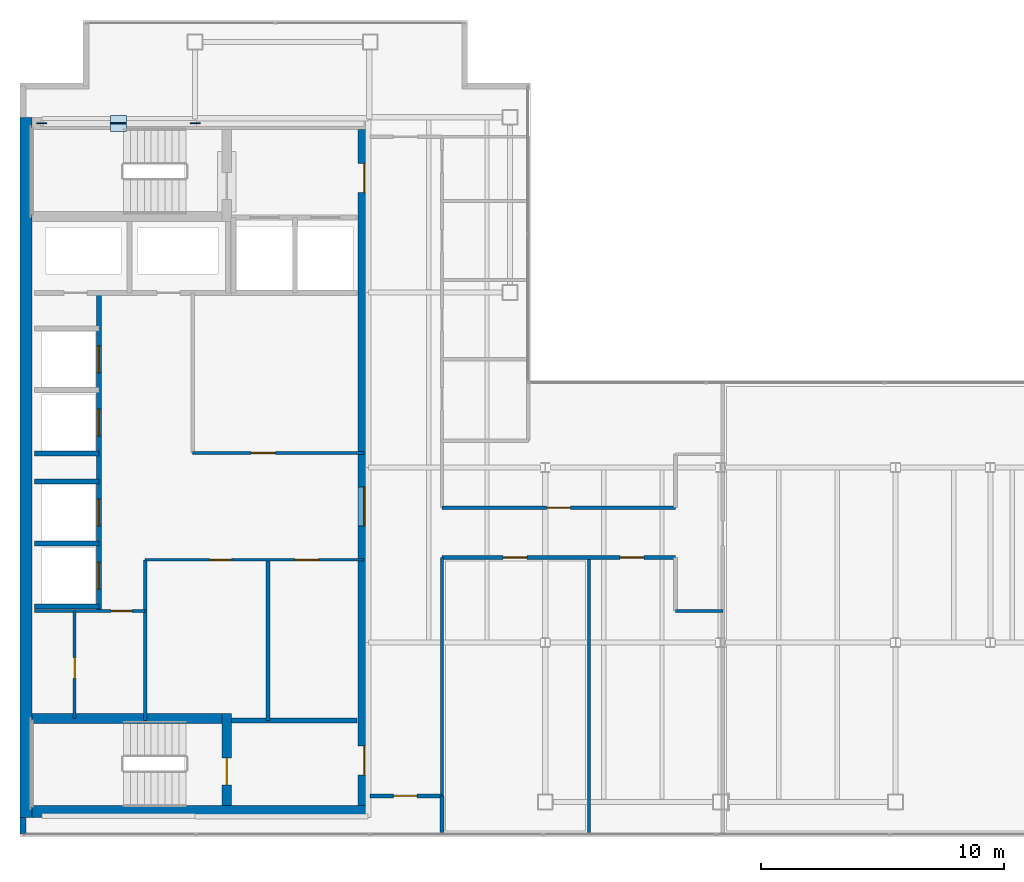
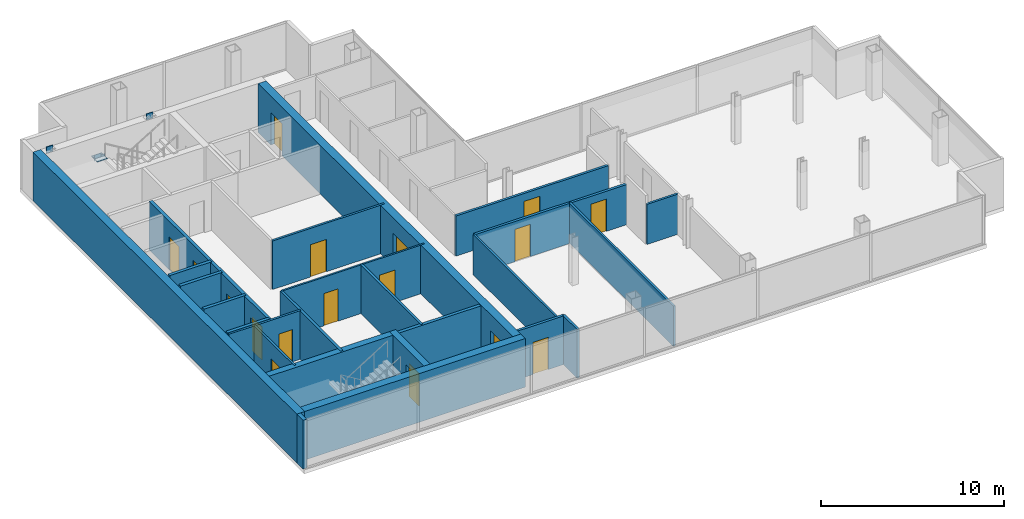
# One storey, part 20 of 23: 25 walls, 17 doors, 5 plates, 17 openings.
"""IFC4 building model written with IfcOpenShell, lengths in metres."""

from ifc_helpers import new_model, si_unit, direction, frame, frame_2d, origin, origin_2d, place, context, subcontext, project, spatial, rectangle, extrude, material, layer, layer_set, type_object, element, fill, save


model = new_model("IFC4")

# Units and contexts
model_context = context("Model", 3, precision=1e-05, world=origin(), true_north=direction((0.0, 1.0)))
body_context = subcontext(model_context, "Body", "Model", "MODEL_VIEW")
ifc_project = project(units=[si_unit("LENGTHUNIT", "METRE"), si_unit("AREAUNIT", "SQUARE_METRE"), si_unit("VOLUMEUNIT", "CUBIC_METRE"), si_unit("PLANEANGLEUNIT", "RADIAN"), si_unit("MASSUNIT", "GRAM", prefix="KILO")], contexts=[model_context])

# Site, building, storey
site_placement = place(None, origin())
site = spatial("IfcSite", under=ifc_project, at=site_placement, CompositionType="ELEMENT")
building_placement = place(site_placement, origin())
building = spatial("IfcBuilding", under=site, at=building_placement, Name="Cobrela Telecom Tower", CompositionType="ELEMENT")
storey_placement = place(building_placement, frame((0.0, 0.0, 262.14990234375)))
storey = spatial("IfcBuildingStorey", under=building, at=storey_placement, Name="L68", CompositionType="ELEMENT", Elevation=262.14990234375)

# Plates
ifc_material_1 = material(Name="Steel ASTM A572 Grade 50", Category="steel")
ifc_layer_1 = layer(ifc_material_1, 0.0419921875)
ifc_layer_set_1 = layer_set([ifc_layer_1], Name="Steel ASTM A572 Grade 50")
plate_type = type_object("IfcPlateType", Name="PLT-NODE-ND1", PredefinedType="USERDEFINED", material=ifc_layer_set_1)
for number, where, z_axis, x_axis, name in (
    (1, (7.199951171875, 35.75, 3.0751953125), (0.0, 0.0, 1.0), (1.0, 0.0, 0.0), "Steel node plate PLT-MBR-EXO-L68-N1-A-1"),
    (2, (4.173828125, 35.75, 1.349609375), (0.0, 0.0, 1.0), (-1.0, 0.0, 0.0), "Steel node plate PLT-MBR-EXO-L68-N1-B1-1"),
    (3, (3.926025390625, 35.75, 1.48046875), (0.0, 0.0, 1.0), (-1.0, 0.0, 0.0), "Steel node plate PLT-MBR-EXO-L68-N1-B2-0"),
    (4, (0.89990234375, 35.75, 3.0751953125), (0.0, 0.0, 1.0), (-1.0, 0.0, 0.0), "Steel node plate PLT-MBR-EXO-L68-N1-B2-1"),
):
    element("IfcPlate", number, at=place(storey_placement, frame(where, z_axis=z_axis, x_axis=x_axis)), inside=storey, type_object=plate_type, Name=name, ObjectType="GUSSET PLATE", PredefinedType="USERDEFINED", context=body_context, shape_type="SweptSolid", body=[
        extrude(rectangle(XDim=0.409912109375, YDim=0.044921875, at=origin_2d()), origin(), (0.0, 0.0, 1.0), 0.409912109375),
    ])
plate_placement = place(storey_placement, frame((4.050048828125, 35.75, 1.59765625), z_axis=(0.0, 0.0, 1.0), x_axis=(1.0, 0.0, 0.0)))
element("IfcPlate", 5, at=plate_placement, inside=storey, type_object=plate_type, Name="L68 Core Flange Steel X-Brace Central X-Crossing Gusset Plate", ObjectType="GUSSET PLATE", PredefinedType="USERDEFINED", context=body_context, shape_type="SweptSolid", body=[
    extrude(rectangle(XDim=0.64990234375, YDim=0.64990234375, at=origin_2d()), origin(), (0.0, 0.0, 1.0), 0.044921875),
])

# Walls
ifc_material_2 = material(Name="Concrete C40/50", Category="concrete")
ifc_layer_2 = layer(ifc_material_2, 0.5)
ifc_layer_set_2 = layer_set([ifc_layer_2], Name="Concrete C40/50")
wall_type_1 = type_object("IfcWallType", Name="WALL-CORE-C40-500", PredefinedType="SHEAR", material=ifc_layer_set_2)
wall_1_placement = place(storey_placement, frame((0.25, 7.199951171875, 0.0), z_axis=(0.0, 0.0, 1.0), x_axis=(0.0, 1.0, 0.0)))
element("IfcWall", 6, at=wall_1_placement, inside=storey, type_object=wall_type_1, Name="L68 West Core Shear Wall", PredefinedType="SHEAR", context=body_context, shape_type="SweptSolid", body=[
    extrude(rectangle(XDim=28.800048828125, YDim=0.5, at=frame_2d((14.39990234375, 0.0))), origin(), (0.0, 0.0, 1.0), 3.239990234375),
])
wall_2_placement = place(storey_placement, frame((0.5, 7.449951171875, 0.0), z_axis=(0.0, 0.0, 1.0), x_axis=(1.0, 0.0, 0.0)))
element("IfcWall", 7, at=wall_2_placement, inside=storey, type_object=wall_type_1, Name="L68 South Core Shear Wall", PredefinedType="SHEAR", context=body_context, shape_type="SweptSolid", body=[
    extrude(rectangle(XDim=13.89990234375, YDim=0.5, at=frame_2d((6.949951171875, 0.0))), origin(), (0.0, 0.0, 1.0), 3.239990234375),
])

# Wall, openings, doors
wall_3_placement = place(storey_placement, frame((14.14990234375, 35.5, 0.0), z_axis=(0.0, 0.0, 1.0), x_axis=(0.0, -1.0, 0.0)))
wall_3 = element("IfcWall", 8, at=wall_3_placement, inside=storey, type_object=wall_type_1, Name="L68 East Core Shear Wall", PredefinedType="SHEAR", context=body_context, shape_type="SweptSolid", body=[
    extrude(rectangle(XDim=27.800048828125, YDim=0.5, at=frame_2d((13.89990234375, 0.0))), origin(), (0.0, 0.0, 1.0), 3.239990234375),
])
opening_1_placement = place(wall_3_placement, frame((1.39990234375, 0.0, 0.0)))
opening_1 = element("IfcOpeningElement", 9, at=opening_1_placement, cuts=wall_3, Name="Opening DR-19", PredefinedType="OPENING", context=body_context, shape_type="SweptSolid", body=[
    extrude(rectangle(XDim=1.199951171875, YDim=2.14990234375, at=frame_2d((0.60009765625, 1.074951171875))), frame((0.0, 0.261962890625, 0.0), z_axis=(0.0, -1.0, 0.0), x_axis=(1.0, 0.0, 0.0)), (0.0, 0.0, 1.0), 0.52392578125),
])
opening_2_placement = place(wall_3_placement, frame((25.35009765625, 0.0, 0.0)))
opening_2 = element("IfcOpeningElement", 10, at=opening_2_placement, cuts=wall_3, Name="Opening DR-19", PredefinedType="OPENING", context=body_context, shape_type="SweptSolid", body=[
    extrude(rectangle(XDim=1.199951171875, YDim=2.14990234375, at=frame_2d((0.60009765625, 1.074951171875))), frame((0.0, 0.261962890625, 0.0), z_axis=(0.0, -1.0, 0.0), x_axis=(1.0, 0.0, 0.0)), (0.0, 0.0, 1.0), 0.52392578125),
])
opening_3_placement = place(wall_3_placement, frame((14.699951171875, 0.0, 0.0)))
opening_3 = element("IfcOpeningElement", 11, at=opening_3_placement, cuts=wall_3, Name="Opening DR-51", PredefinedType="OPENING", context=body_context, shape_type="SweptSolid", body=[
    extrude(rectangle(XDim=1.60009765625, YDim=2.199951171875, at=frame_2d((0.800048828125, 1.10009765625))), frame((0.0, 0.261962890625, 0.0), z_axis=(0.0, -1.0, 0.0), x_axis=(1.0, 0.0, 0.0)), (0.0, 0.0, 1.0), 0.52392578125),
])
ifc_material_3 = material(Name="Steel ASTM A36", Category="steel")
door_type_1 = type_object("IfcDoorType", Name="DOOR-FD60-1200", OperationType="SINGLE_SWING_LEFT", PredefinedType="DOOR", material=ifc_material_3)
door_1_placement = place(opening_1_placement, origin())
door_1 = element("IfcDoor", 12, at=door_1_placement, inside=storey, type_object=door_type_1, Name="L68 Door DR-19", OperationType="SINGLE_SWING_LEFT", OverallHeight=2.14990234375, OverallWidth=1.199951171875, PredefinedType="DOOR", context=body_context, shape_type="SweptSolid", body=[
    extrude(rectangle(XDim=1.199951171875, YDim=2.14990234375, at=frame_2d((0.60009765625, 1.074951171875))), frame((0.0, 0.02490234375, 0.0), z_axis=(0.0, -1.0, 0.0), x_axis=(1.0, 0.0, 0.0)), (0.0, 0.0, 1.0), 0.050048828125),
])
fill(opening_1, door_1)
door_2_placement = place(opening_2_placement, origin())
door_2 = element("IfcDoor", 13, at=door_2_placement, inside=storey, type_object=door_type_1, Name="L68 Door DR-19", OperationType="SINGLE_SWING_RIGHT", OverallHeight=2.14990234375, OverallWidth=1.199951171875, PredefinedType="DOOR", context=body_context, shape_type="SweptSolid", body=[
    extrude(rectangle(XDim=1.199951171875, YDim=2.14990234375, at=frame_2d((0.60009765625, 1.074951171875))), frame((0.0, 0.02490234375, 0.0), z_axis=(0.0, -1.0, 0.0), x_axis=(1.0, 0.0, 0.0)), (0.0, 0.0, 1.0), 0.050048828125),
])
fill(opening_2, door_2)
door_type_2 = type_object("IfcDoorType", Name="DOOR-FD60-1600", OperationType="SINGLE_SWING_LEFT", PredefinedType="DOOR", material=ifc_material_3)
door_3_placement = place(opening_3_placement, origin())
door_3 = element("IfcDoor", 14, at=door_3_placement, inside=storey, type_object=door_type_2, Name="L68 Door DR-51", OperationType="DOUBLE_DOOR_SINGLE_SWING", OverallHeight=2.199951171875, OverallWidth=1.60009765625, PredefinedType="DOOR", context=body_context, shape_type="SweptSolid", body=[
    extrude(rectangle(XDim=1.60009765625, YDim=2.199951171875, at=frame_2d((0.800048828125, 1.10009765625))), frame((0.0, 0.02490234375, 0.0), z_axis=(0.0, -1.0, 0.0), x_axis=(1.0, 0.0, 0.0)), (0.0, 0.0, 1.0), 0.050048828125),
])
fill(opening_3, door_3)

# Wall
ifc_layer_3 = layer(ifc_material_2, 0.239990234375)
ifc_layer_set_3 = layer_set([ifc_layer_3], Name="Concrete C40/50")
wall_type_2 = type_object("IfcWallType", Name="WALL-EXT-300", PredefinedType="STANDARD", material=ifc_layer_set_3)
wall_4_placement = place(storey_placement, frame((0.1201171875, 6.52001953125, 0.0), z_axis=(0.0, 0.0, 1.0), x_axis=(0.0, 1.0, 0.0)))
element("IfcWall", 15, at=wall_4_placement, inside=storey, type_object=wall_type_2, Name="L68 Insulated Facade Wall 01", PredefinedType="STANDARD", context=body_context, shape_type="SweptSolid", body=[
    extrude(rectangle(XDim=0.679931640625, YDim=0.239990234375, at=frame_2d((0.33984375, 0.0))), origin(), (0.0, 0.0, 1.0), 3.239990234375),
])

# Wall, openings, doors
ifc_material_4 = material(Name="Fire-Rated Gypsum Plasterboard")
ifc_layer_4 = layer(ifc_material_4, 0.110107421875)
ifc_layer_set_4 = layer_set([ifc_layer_4], Name="Fire-Rated Gypsum Plasterboard")
wall_type_3 = type_object("IfcWallType", Name="WALL-PART-110", PredefinedType="PARTITIONING", material=ifc_layer_set_4)
wall_5_placement = place(storey_placement, frame((5.14990234375, 17.800048828125, 0.0), z_axis=(0.0, 0.0, 1.0), x_axis=(1.0, 0.0, 0.0)))
wall_5 = element("IfcWall", 16, at=wall_5_placement, inside=storey, type_object=wall_type_3, Name="L68 Interior Partition CW-RECM-N", PredefinedType="PARTITIONING", context=body_context, shape_type="SweptSolid", body=[
    extrude(rectangle(XDim=9.0, YDim=0.110107421875, at=frame_2d((4.5, 0.0))), origin(), (0.0, 0.0, 1.0), 3.239990234375),
])
opening_4_placement = place(wall_5_placement, frame((2.64990234375, 0.0, 0.0)))
opening_4 = element("IfcOpeningElement", 17, at=opening_4_placement, cuts=wall_5, Name="Opening DR-41", PredefinedType="OPENING", context=body_context, shape_type="SweptSolid", body=[
    extrude(rectangle(XDim=0.89990234375, YDim=2.14990234375, at=frame_2d((0.449951171875, 1.074951171875))), frame((0.0, 0.06689453125, 0.0), z_axis=(0.0, -1.0, 0.0), x_axis=(1.0, 0.0, 0.0)), (0.0, 0.0, 1.0), 0.134033203125),
])
opening_5_placement = place(wall_5_placement, frame((6.14990234375, 0.0, 0.0)))
opening_5 = element("IfcOpeningElement", 18, at=opening_5_placement, cuts=wall_5, Name="Opening DR-17", PredefinedType="OPENING", context=body_context, shape_type="SweptSolid", body=[
    extrude(rectangle(XDim=0.97998046875, YDim=2.14990234375, at=frame_2d((0.489990234375, 1.074951171875))), frame((0.0, 0.06689453125, 0.0), z_axis=(0.0, -1.0, 0.0), x_axis=(1.0, 0.0, 0.0)), (0.0, 0.0, 1.0), 0.134033203125),
])
ifc_material_5 = material(Name="Solid Engineered Oak Timber", Category="wood")
door_type_3 = type_object("IfcDoorType", Name="DOOR-INT-900", OperationType="SINGLE_SWING_LEFT", PredefinedType="DOOR", material=ifc_material_5)
door_4_placement = place(opening_4_placement, origin())
door_4 = element("IfcDoor", 19, at=door_4_placement, inside=storey, type_object=door_type_3, Name="L68 Door DR-41", OperationType="SINGLE_SWING_LEFT", OverallHeight=2.14990234375, OverallWidth=0.89990234375, PredefinedType="DOOR", context=body_context, shape_type="SweptSolid", body=[
    extrude(rectangle(XDim=0.89990234375, YDim=2.14990234375, at=frame_2d((0.449951171875, 1.074951171875))), frame((0.0, 0.02490234375, 0.0), z_axis=(0.0, -1.0, 0.0), x_axis=(1.0, 0.0, 0.0)), (0.0, 0.0, 1.0), 0.050048828125),
])
fill(opening_4, door_4)
door_type_4 = type_object("IfcDoorType", Name="DOOR-INT-980", OperationType="SINGLE_SWING_LEFT", PredefinedType="DOOR", material=ifc_material_5)
door_5_placement = place(opening_5_placement, origin())
door_5 = element("IfcDoor", 20, at=door_5_placement, inside=storey, type_object=door_type_4, Name="L68 Door DR-17", OperationType="SINGLE_SWING_RIGHT", OverallHeight=2.14990234375, OverallWidth=0.97998046875, PredefinedType="DOOR", context=body_context, shape_type="SweptSolid", body=[
    extrude(rectangle(XDim=0.97998046875, YDim=2.14990234375, at=frame_2d((0.489990234375, 1.074951171875))), frame((0.0, 0.02490234375, 0.0), z_axis=(0.0, -1.0, 0.0), x_axis=(1.0, 0.0, 0.0)), (0.0, 0.0, 1.0), 0.050048828125),
])
fill(opening_5, door_5)

# Wall, opening, door
ifc_layer_5 = layer(ifc_material_4, 0.125)
ifc_layer_set_5 = layer_set([ifc_layer_5], Name="Fire-Rated Gypsum Plasterboard")
wall_type_4 = type_object("IfcWallType", Name="WALL-PART-125", PredefinedType="PARTITIONING", material=ifc_layer_set_5)
wall_6_placement = place(storey_placement, frame((2.25, 11.280029296875, 0.0), z_axis=(0.0, 0.0, 1.0), x_axis=(0.0, 1.0, 0.0)))
wall_6 = element("IfcWall", 21, at=wall_6_placement, inside=storey, type_object=wall_type_4, Name="L68 Interior Partition CW-FK0-V", PredefinedType="PARTITIONING", context=body_context, shape_type="SweptSolid", body=[
    extrude(rectangle(XDim=4.419921875, YDim=0.125, at=frame_2d((2.2099609375, 0.0))), origin(), (0.0, 0.0, 1.0), 3.239990234375),
])
opening_6_placement = place(wall_6_placement, frame((1.64990234375, 0.0, 0.0)))
opening_6 = element("IfcOpeningElement", 22, at=opening_6_placement, cuts=wall_6, Name="Opening DR-11", PredefinedType="OPENING", context=body_context, shape_type="SweptSolid", body=[
    extrude(rectangle(XDim=0.85009765625, YDim=2.14990234375, at=frame_2d((0.425048828125, 1.074951171875))), frame((0.0, 0.074462890625, 0.0), z_axis=(0.0, -1.0, 0.0), x_axis=(1.0, 0.0, 0.0)), (0.0, 0.0, 1.0), 0.14892578125),
])
door_type_5 = type_object("IfcDoorType", Name="DOOR-INT-850", OperationType="SINGLE_SWING_LEFT", PredefinedType="DOOR", material=ifc_material_5)
door_6_placement = place(opening_6_placement, origin())
door_6 = element("IfcDoor", 23, at=door_6_placement, inside=storey, type_object=door_type_5, Name="L68 Door DR-11", OperationType="SINGLE_SWING_LEFT", OverallHeight=2.14990234375, OverallWidth=0.85009765625, PredefinedType="DOOR", context=body_context, shape_type="SweptSolid", body=[
    extrude(rectangle(XDim=0.85009765625, YDim=2.14990234375, at=frame_2d((0.425048828125, 1.074951171875))), frame((0.0, 0.02490234375, 0.0), z_axis=(0.0, -1.0, 0.0), x_axis=(1.0, 0.0, 0.0)), (0.0, 0.0, 1.0), 0.050048828125),
])
fill(opening_6, door_6)

ifc_layer_6 = layer(ifc_material_4, 0.135009765625)
ifc_layer_set_6 = layer_set([ifc_layer_6], Name="Fire-Rated Gypsum Plasterboard")
wall_type_5 = type_object("IfcWallType", Name="WALL-PART-135", PredefinedType="PARTITIONING", material=ifc_layer_set_6)
wall_7_placement = place(storey_placement, frame((7.10009765625, 22.199951171875, 0.0), z_axis=(0.0, 0.0, 1.0), x_axis=(1.0, 0.0, 0.0)))
wall_7 = element("IfcWall", 24, at=wall_7_placement, inside=storey, type_object=wall_type_5, Name="L68 Interior Partition CW-RECL-S", PredefinedType="PARTITIONING", context=body_context, shape_type="SweptSolid", body=[
    extrude(rectangle(XDim=7.0498046875, YDim=0.135009765625, at=frame_2d((3.52490234375, 0.0))), origin(), (0.0, 0.0, 1.0), 3.239990234375),
])
opening_7_placement = place(wall_7_placement, frame((2.39990234375, 0.0, 0.0)))
opening_7 = element("IfcOpeningElement", 25, at=opening_7_placement, cuts=wall_7, Name="Opening DR-31", PredefinedType="OPENING", context=body_context, shape_type="SweptSolid", body=[
    extrude(rectangle(XDim=1.0, YDim=2.14990234375, at=frame_2d((0.5, 1.074951171875))), frame((0.0, 0.07958984375, 0.0), z_axis=(0.0, -1.0, 0.0), x_axis=(1.0, 0.0, 0.0)), (0.0, 0.0, 1.0), 0.158935546875),
])
door_type_6 = type_object("IfcDoorType", Name="DOOR-INT-1000", OperationType="SINGLE_SWING_LEFT", PredefinedType="DOOR", material=ifc_material_5)
door_7_placement = place(opening_7_placement, origin())
door_7 = element("IfcDoor", 26, at=door_7_placement, inside=storey, type_object=door_type_6, Name="L68 Door DR-31", OperationType="SINGLE_SWING_LEFT", OverallHeight=2.14990234375, OverallWidth=1.0, PredefinedType="DOOR", context=body_context, shape_type="SweptSolid", body=[
    extrude(rectangle(XDim=1.0, YDim=2.14990234375, at=frame_2d((0.5, 1.074951171875))), frame((0.0, 0.02490234375, 0.0), z_axis=(0.0, -1.0, 0.0), x_axis=(1.0, 0.0, 0.0)), (0.0, 0.0, 1.0), 0.050048828125),
])
fill(opening_7, door_7)

wall_8_placement = place(storey_placement, frame((0.60009765625, 15.699951171875, 0.0), z_axis=(0.0, 0.0, 1.0), x_axis=(1.0, 0.0, 0.0)))
wall_8 = element("IfcWall", 27, at=wall_8_placement, inside=storey, type_object=wall_type_5, Name="L68 Interior Partition CW-FLEX-N", PredefinedType="PARTITIONING", context=body_context, shape_type="SweptSolid", body=[
    extrude(rectangle(XDim=4.5498046875, YDim=0.135009765625, at=frame_2d((2.27490234375, 0.0))), origin(), (0.0, 0.0, 1.0), 3.239990234375),
])
opening_8_placement = place(wall_8_placement, frame((3.14990234375, 0.0, 0.0)))
opening_8 = element("IfcOpeningElement", 28, at=opening_8_placement, cuts=wall_8, Name="Opening DR-11", PredefinedType="OPENING", context=body_context, shape_type="SweptSolid", body=[
    extrude(rectangle(XDim=0.85009765625, YDim=2.14990234375, at=frame_2d((0.425048828125, 1.074951171875))), frame((0.0, 0.07958984375, 0.0), z_axis=(0.0, -1.0, 0.0), x_axis=(1.0, 0.0, 0.0)), (0.0, 0.0, 1.0), 0.158935546875),
])
door_8_placement = place(opening_8_placement, origin())
door_8 = element("IfcDoor", 29, at=door_8_placement, inside=storey, type_object=door_type_5, Name="L68 Door DR-11", OperationType="SINGLE_SWING_RIGHT", OverallHeight=2.14990234375, OverallWidth=0.85009765625, PredefinedType="DOOR", context=body_context, shape_type="SweptSolid", body=[
    extrude(rectangle(XDim=0.85009765625, YDim=2.14990234375, at=frame_2d((0.425048828125, 1.074951171875))), frame((0.0, 0.02490234375, 0.0), z_axis=(0.0, -1.0, 0.0), x_axis=(1.0, 0.0, 0.0)), (0.0, 0.0, 1.0), 0.050048828125),
])
fill(opening_8, door_8)

# Walls
wall_9_placement = place(storey_placement, frame((17.35009765625, 8.10009765625, 0.0), z_axis=(0.0, 0.0, 1.0), x_axis=(0.0, 1.0, 0.0)))
element("IfcWall", 30, at=wall_9_placement, inside=storey, type_object=wall_type_5, Name="L68 Interior Partition W-C-E1", PredefinedType="PARTITIONING", context=body_context, shape_type="SweptSolid", body=[
    extrude(rectangle(XDim=9.7998046875, YDim=0.135009765625, at=frame_2d((4.89990234375, 0.0))), origin(), (0.0, 0.0, 1.0), 2.676025390625),
])
wall_10_placement = place(storey_placement, frame((26.949951171875, 15.699951171875, 0.0), z_axis=(0.0, 0.0, 1.0), x_axis=(1.0, 0.0, 0.0)))
element("IfcWall", 31, at=wall_10_placement, inside=storey, type_object=wall_type_5, Name="L68 Interior Partition W-CT-S", PredefinedType="PARTITIONING", context=body_context, shape_type="SweptSolid", body=[
    extrude(rectangle(XDim=1.949951171875, YDim=0.135009765625, at=frame_2d((0.97509765625, 0.0))), origin(), (0.0, 0.0, 1.0), 2.676025390625),
])
wall_11_placement = place(storey_placement, frame((23.39990234375, 6.52001953125, 0.0), z_axis=(0.0, 0.0, 1.0), x_axis=(0.0, 1.0, 0.0)))
element("IfcWall", 32, at=wall_11_placement, inside=storey, type_object=wall_type_5, Name="L68 Interior Partition W-SV-1", PredefinedType="PARTITIONING", context=body_context, shape_type="SweptSolid", body=[
    extrude(rectangle(XDim=11.3798828125, YDim=0.135009765625, at=frame_2d((5.68994140625, 0.0))), origin(), (0.0, 0.0, 1.0), 2.676025390625),
])
ifc_layer_7 = layer(ifc_material_4, 0.14990234375)
ifc_layer_set_7 = layer_set([ifc_layer_7], Name="Fire-Rated Gypsum Plasterboard")
wall_type_6 = type_object("IfcWallType", Name="WALL-PART-150", PredefinedType="PARTITIONING", material=ifc_layer_set_7)
wall_12_placement = place(storey_placement, frame((10.199951171875, 11.199951171875, 0.0), z_axis=(0.0, 0.0, 1.0), x_axis=(0.0, 1.0, 0.0)))
element("IfcWall", 33, at=wall_12_placement, inside=storey, type_object=wall_type_6, Name="L68 Interior Partition CW-RECM-V", PredefinedType="PARTITIONING", context=body_context, shape_type="SweptSolid", body=[
    extrude(rectangle(XDim=6.60009765625, YDim=0.14990234375, at=frame_2d((3.300048828125, 0.0))), origin(), (0.0, 0.0, 1.0), 3.239990234375),
])

# Wall, opening, door
wall_13_placement = place(storey_placement, frame((17.35009765625, 19.949951171875, 0.0), z_axis=(0.0, 0.0, 1.0), x_axis=(1.0, 0.0, 0.0)))
wall_13 = element("IfcWall", 34, at=wall_13_placement, inside=storey, type_object=wall_type_6, Name="L68 Interior Partition W-C-HN", PredefinedType="PARTITIONING", context=body_context, shape_type="SweptSolid", body=[
    extrude(rectangle(XDim=9.599853515625, YDim=0.14990234375, at=frame_2d((4.7998046875, 0.0))), origin(), (0.0, 0.0, 1.0), 2.676025390625),
])
opening_9_placement = place(wall_13_placement, frame((4.300048828125, 0.0, 0.0)))
opening_9 = element("IfcOpeningElement", 35, at=opening_9_placement, cuts=wall_13, Name="Opening DR-17", PredefinedType="OPENING", context=body_context, shape_type="SweptSolid", body=[
    extrude(rectangle(XDim=0.97998046875, YDim=2.14990234375, at=frame_2d((0.489990234375, 1.074951171875))), frame((0.0, 0.0869140625, 0.0), z_axis=(0.0, -1.0, 0.0), x_axis=(1.0, 0.0, 0.0)), (0.0, 0.0, 1.0), 0.173828125),
])
door_9_placement = place(opening_9_placement, origin())
door_9 = element("IfcDoor", 36, at=door_9_placement, inside=storey, type_object=door_type_4, Name="L68 Door DR-17", OperationType="SINGLE_SWING_LEFT", OverallHeight=2.14990234375, OverallWidth=0.97998046875, PredefinedType="DOOR", context=body_context, shape_type="SweptSolid", body=[
    extrude(rectangle(XDim=0.97998046875, YDim=2.14990234375, at=frame_2d((0.489990234375, 1.074951171875))), frame((0.0, 0.02490234375, 0.0), z_axis=(0.0, -1.0, 0.0), x_axis=(1.0, 0.0, 0.0)), (0.0, 0.0, 1.0), 0.050048828125),
])
fill(opening_9, door_9)

# Walls
wall_14_placement = place(storey_placement, frame((17.35009765625, 6.52001953125, 0.0), z_axis=(0.0, 0.0, 1.0), x_axis=(0.0, 1.0, 0.0)))
element("IfcWall", 37, at=wall_14_placement, inside=storey, type_object=wall_type_6, Name="L68 Interior Partition W-SW-E", PredefinedType="PARTITIONING", context=body_context, shape_type="SweptSolid", body=[
    extrude(rectangle(XDim=1.580078125, YDim=0.14990234375, at=frame_2d((0.7900390625, 0.0))), origin(), (0.0, 0.0, 1.0), 3.239990234375),
])
ifc_layer_8 = layer(ifc_material_4, 0.159912109375)
ifc_layer_set_8 = layer_set([ifc_layer_8], Name="Fire-Rated Gypsum Plasterboard")
wall_type_7 = type_object("IfcWallType", Name="WALL-PART-160", PredefinedType="PARTITIONING", material=ifc_layer_set_8)
wall_15_placement = place(storey_placement, frame((5.14990234375, 11.199951171875, 0.0), z_axis=(0.0, 0.0, 1.0), x_axis=(0.0, 1.0, 0.0)))
element("IfcWall", 38, at=wall_15_placement, inside=storey, type_object=wall_type_7, Name="L68 Interior Partition CW-RECM-W", PredefinedType="PARTITIONING", context=body_context, shape_type="SweptSolid", body=[
    extrude(rectangle(XDim=6.60009765625, YDim=0.159912109375, at=frame_2d((3.300048828125, 0.0))), origin(), (0.0, 0.0, 1.0), 3.239990234375),
])

# Wall, opening, door
wall_16_placement = place(storey_placement, frame((14.39990234375, 8.10009765625, 0.0), z_axis=(0.0, 0.0, 1.0), x_axis=(1.0, 0.0, 0.0)))
wall_16 = element("IfcWall", 39, at=wall_16_placement, inside=storey, type_object=wall_type_7, Name="L68 Interior Partition W-C-S0", PredefinedType="PARTITIONING", context=body_context, shape_type="SweptSolid", body=[
    extrude(rectangle(XDim=2.9501953125, YDim=0.159912109375, at=frame_2d((1.47509765625, 0.0))), origin(), (0.0, 0.0, 1.0), 3.239990234375),
])
opening_10_placement = place(wall_16_placement, frame((0.949951171875, 0.0, 0.0)))
opening_10 = element("IfcOpeningElement", 40, at=opening_10_placement, cuts=wall_16, Name="Opening DR-17", PredefinedType="OPENING", context=body_context, shape_type="SweptSolid", body=[
    extrude(rectangle(XDim=0.97998046875, YDim=2.14990234375, at=frame_2d((0.489990234375, 1.074951171875))), frame((0.0, 0.091796875, 0.0), z_axis=(0.0, -1.0, 0.0), x_axis=(1.0, 0.0, 0.0)), (0.0, 0.0, 1.0), 0.183837890625),
])
door_10_placement = place(opening_10_placement, origin())
door_10 = element("IfcDoor", 41, at=door_10_placement, inside=storey, type_object=door_type_4, Name="L68 Door DR-17", OperationType="SINGLE_SWING_RIGHT", OverallHeight=2.14990234375, OverallWidth=0.97998046875, PredefinedType="DOOR", context=body_context, shape_type="SweptSolid", body=[
    extrude(rectangle(XDim=0.97998046875, YDim=2.14990234375, at=frame_2d((0.489990234375, 1.074951171875))), frame((0.0, 0.02490234375, 0.0), z_axis=(0.0, -1.0, 0.0), x_axis=(1.0, 0.0, 0.0)), (0.0, 0.0, 1.0), 0.050048828125),
])
fill(opening_10, door_10)

# Wall, openings, doors
wall_17_placement = place(storey_placement, frame((17.35009765625, 17.89990234375, 0.0), z_axis=(0.0, 0.0, 1.0), x_axis=(1.0, 0.0, 0.0)))
wall_17 = element("IfcWall", 42, at=wall_17_placement, inside=storey, type_object=wall_type_7, Name="L68 Interior Partition W-C-HS", PredefinedType="PARTITIONING", context=body_context, shape_type="SweptSolid", body=[
    extrude(rectangle(XDim=9.599853515625, YDim=0.159912109375, at=frame_2d((4.7998046875, 0.0))), origin(), (0.0, 0.0, 1.0), 2.676025390625),
])
opening_11_placement = place(wall_17_placement, frame((2.52001953125, 0.0, 0.0)))
opening_11 = element("IfcOpeningElement", 43, at=opening_11_placement, cuts=wall_17, Name="Opening DR-17", PredefinedType="OPENING", context=body_context, shape_type="SweptSolid", body=[
    extrude(rectangle(XDim=0.97998046875, YDim=2.14990234375, at=frame_2d((0.489990234375, 1.074951171875))), frame((0.0, 0.091796875, 0.0), z_axis=(0.0, -1.0, 0.0), x_axis=(1.0, 0.0, 0.0)), (0.0, 0.0, 1.0), 0.183837890625),
])
opening_12_placement = place(wall_17_placement, frame((7.320068359375, 0.0, 0.0)))
opening_12 = element("IfcOpeningElement", 44, at=opening_12_placement, cuts=wall_17, Name="Opening DR-17", PredefinedType="OPENING", context=body_context, shape_type="SweptSolid", body=[
    extrude(rectangle(XDim=0.97998046875, YDim=2.14990234375, at=frame_2d((0.489990234375, 1.074951171875))), frame((0.0, 0.091796875, 0.0), z_axis=(0.0, -1.0, 0.0), x_axis=(1.0, 0.0, 0.0)), (0.0, 0.0, 1.0), 0.183837890625),
])
door_11_placement = place(opening_11_placement, origin())
door_11 = element("IfcDoor", 45, at=door_11_placement, inside=storey, type_object=door_type_4, Name="L68 Door DR-17", OperationType="SINGLE_SWING_LEFT", OverallHeight=2.14990234375, OverallWidth=0.97998046875, PredefinedType="DOOR", context=body_context, shape_type="SweptSolid", body=[
    extrude(rectangle(XDim=0.97998046875, YDim=2.14990234375, at=frame_2d((0.489990234375, 1.074951171875))), frame((0.0, 0.02490234375, 0.0), z_axis=(0.0, -1.0, 0.0), x_axis=(1.0, 0.0, 0.0)), (0.0, 0.0, 1.0), 0.050048828125),
])
fill(opening_11, door_11)
door_12_placement = place(opening_12_placement, origin())
door_12 = element("IfcDoor", 46, at=door_12_placement, inside=storey, type_object=door_type_4, Name="L68 Door DR-17", OperationType="SINGLE_SWING_RIGHT", OverallHeight=2.14990234375, OverallWidth=0.97998046875, PredefinedType="DOOR", context=body_context, shape_type="SweptSolid", body=[
    extrude(rectangle(XDim=0.97998046875, YDim=2.14990234375, at=frame_2d((0.489990234375, 1.074951171875))), frame((0.0, 0.02490234375, 0.0), z_axis=(0.0, -1.0, 0.0), x_axis=(1.0, 0.0, 0.0)), (0.0, 0.0, 1.0), 0.050048828125),
])
fill(opening_12, door_12)

# Wall
ifc_layer_9 = layer(ifc_material_4, 0.199951171875)
ifc_layer_set_9 = layer_set([ifc_layer_9], Name="Fire-Rated Gypsum Plasterboard")
wall_type_8 = type_object("IfcWallType", Name="WALL-SHAFT-200", PredefinedType="PARTITIONING", material=ifc_layer_set_9)
wall_18_placement = place(storey_placement, frame((8.699951171875, 11.199951171875, 0.0), z_axis=(0.0, 0.0, 1.0), x_axis=(1.0, 0.0, 0.0)))
element("IfcWall", 47, at=wall_18_placement, inside=storey, type_object=wall_type_8, Name="L68 Shaft Enclosure CW-ST2L-N", PredefinedType="PARTITIONING", context=body_context, shape_type="SweptSolid", body=[
    extrude(rectangle(XDim=5.150146484375, YDim=0.199951171875, at=frame_2d((2.5751953125, 0.0))), origin(), (0.0, 0.0, 1.0), 3.239990234375),
])

# Wall, openings, doors
wall_19_placement = place(storey_placement, frame((3.25, 15.699951171875, 0.0), z_axis=(0.0, 0.0, 1.0), x_axis=(0.0, 1.0, 0.0)))
wall_19 = element("IfcWall", 48, at=wall_19_placement, inside=storey, type_object=wall_type_8, Name="L68 Shaft Enclosure CW-PLH-E", PredefinedType="PARTITIONING", context=body_context, shape_type="SweptSolid", body=[
    extrude(rectangle(XDim=13.080078125, YDim=0.199951171875, at=frame_2d((6.5400390625, 0.0))), origin(), (0.0, 0.0, 1.0), 3.239990234375),
])
opening_13_placement = place(wall_19_placement, frame((0.89990234375, 0.0, 0.0)))
opening_13 = element("IfcOpeningElement", 49, at=opening_13_placement, cuts=wall_19, Name="Opening LD-1", PredefinedType="OPENING", context=body_context, shape_type="SweptSolid", body=[
    extrude(rectangle(XDim=1.10009765625, YDim=2.199951171875, at=frame_2d((0.550048828125, 1.10009765625))), frame((0.0, 0.11181640625, 0.0), z_axis=(0.0, -1.0, 0.0), x_axis=(1.0, 0.0, 0.0)), (0.0, 0.0, 1.0), 0.223876953125),
])
opening_14_placement = place(wall_19_placement, frame((3.5, 0.0, 0.0)))
opening_14 = element("IfcOpeningElement", 50, at=opening_14_placement, cuts=wall_19, Name="Opening LD-1", PredefinedType="OPENING", context=body_context, shape_type="SweptSolid", body=[
    extrude(rectangle(XDim=1.10009765625, YDim=2.199951171875, at=frame_2d((0.550048828125, 1.10009765625))), frame((0.0, 0.11181640625, 0.0), z_axis=(0.0, -1.0, 0.0), x_axis=(1.0, 0.0, 0.0)), (0.0, 0.0, 1.0), 0.223876953125),
])
opening_15_placement = place(wall_19_placement, frame((7.199951171875, 0.0, 0.0)))
opening_15 = element("IfcOpeningElement", 51, at=opening_15_placement, cuts=wall_19, Name="Opening LD-1", PredefinedType="OPENING", context=body_context, shape_type="SweptSolid", body=[
    extrude(rectangle(XDim=1.10009765625, YDim=2.199951171875, at=frame_2d((0.550048828125, 1.10009765625))), frame((0.0, 0.11181640625, 0.0), z_axis=(0.0, -1.0, 0.0), x_axis=(1.0, 0.0, 0.0)), (0.0, 0.0, 1.0), 0.223876953125),
])
opening_16_placement = place(wall_19_placement, frame((9.800048828125, 0.0, 0.0)))
opening_16 = element("IfcOpeningElement", 52, at=opening_16_placement, cuts=wall_19, Name="Opening LD-1", PredefinedType="OPENING", context=body_context, shape_type="SweptSolid", body=[
    extrude(rectangle(XDim=1.10009765625, YDim=2.199951171875, at=frame_2d((0.550048828125, 1.10009765625))), frame((0.0, 0.11181640625, 0.0), z_axis=(0.0, -1.0, 0.0), x_axis=(1.0, 0.0, 0.0)), (0.0, 0.0, 1.0), 0.223876953125),
])
door_type_7 = type_object("IfcDoorType", Name="DOOR-LD-PL", OperationType="SINGLE_SWING_LEFT", PredefinedType="DOOR", material=ifc_material_3)
door_13_placement = place(opening_13_placement, origin())
door_13 = element("IfcDoor", 53, at=door_13_placement, inside=storey, type_object=door_type_7, Name="L68 Lift Landing Door LD-1", OperationType="DOUBLE_DOOR_SLIDING", OverallHeight=2.199951171875, OverallWidth=1.10009765625, PredefinedType="DOOR", context=body_context, shape_type="SweptSolid", body=[
    extrude(rectangle(XDim=1.10009765625, YDim=2.199951171875, at=frame_2d((0.550048828125, 1.10009765625))), frame((0.0, 0.02490234375, 0.0), z_axis=(0.0, -1.0, 0.0), x_axis=(1.0, 0.0, 0.0)), (0.0, 0.0, 1.0), 0.050048828125),
])
fill(opening_13, door_13)
door_14_placement = place(opening_14_placement, origin())
door_14 = element("IfcDoor", 54, at=door_14_placement, inside=storey, type_object=door_type_7, Name="L68 Lift Landing Door LD-1", OperationType="DOUBLE_DOOR_SLIDING", OverallHeight=2.199951171875, OverallWidth=1.10009765625, PredefinedType="DOOR", context=body_context, shape_type="SweptSolid", body=[
    extrude(rectangle(XDim=1.10009765625, YDim=2.199951171875, at=frame_2d((0.550048828125, 1.10009765625))), frame((0.0, 0.02490234375, 0.0), z_axis=(0.0, -1.0, 0.0), x_axis=(1.0, 0.0, 0.0)), (0.0, 0.0, 1.0), 0.050048828125),
])
fill(opening_14, door_14)
door_15_placement = place(opening_15_placement, origin())
door_15 = element("IfcDoor", 55, at=door_15_placement, inside=storey, type_object=door_type_7, Name="L68 Lift Landing Door LD-1", OperationType="DOUBLE_DOOR_SLIDING", OverallHeight=2.199951171875, OverallWidth=1.10009765625, PredefinedType="DOOR", context=body_context, shape_type="SweptSolid", body=[
    extrude(rectangle(XDim=1.10009765625, YDim=2.199951171875, at=frame_2d((0.550048828125, 1.10009765625))), frame((0.0, 0.02490234375, 0.0), z_axis=(0.0, -1.0, 0.0), x_axis=(1.0, 0.0, 0.0)), (0.0, 0.0, 1.0), 0.050048828125),
])
fill(opening_15, door_15)
door_16_placement = place(opening_16_placement, origin())
door_16 = element("IfcDoor", 56, at=door_16_placement, inside=storey, type_object=door_type_7, Name="L68 Lift Landing Door LD-1", OperationType="DOUBLE_DOOR_SLIDING", OverallHeight=2.199951171875, OverallWidth=1.10009765625, PredefinedType="DOOR", context=body_context, shape_type="SweptSolid", body=[
    extrude(rectangle(XDim=1.10009765625, YDim=2.199951171875, at=frame_2d((0.550048828125, 1.10009765625))), frame((0.0, 0.02490234375, 0.0), z_axis=(0.0, -1.0, 0.0), x_axis=(1.0, 0.0, 0.0)), (0.0, 0.0, 1.0), 0.050048828125),
])
fill(opening_16, door_16)

# Walls
for number, where, z_axis, x_axis, name in (
    (57, (0.60009765625, 15.8798828125, 0.0), (0.0, 0.0, 1.0), (1.0, 0.0, 0.0), "L68 Shaft Enclosure CW-PLH-D9"),
    (58, (0.60009765625, 18.47998046875, 0.0), (0.0, 0.0, 1.0), (1.0, 0.0, 0.0), "L68 Shaft Enclosure CW-PLH-D10"),
    (59, (0.60009765625, 22.179931640625, 0.0), (0.0, 0.0, 1.0), (1.0, 0.0, 0.0), "L68 Shaft Enclosure CW-PLH-D11"),
    (60, (0.60009765625, 21.02001953125, 0.0), (0.0, 0.0, 1.0), (1.0, 0.0, 0.0), "L68 Shaft Enclosure CW-PLH-MID"),
):
    element("IfcWall", number, at=place(storey_placement, frame(where, z_axis=z_axis, x_axis=x_axis)), inside=storey, type_object=wall_type_8, Name=name, PredefinedType="PARTITIONING", context=body_context, shape_type="SweptSolid", body=[
        extrude(rectangle(XDim=2.64990234375, YDim=0.199951171875, at=frame_2d((1.324951171875, 0.0))), origin(), (0.0, 0.0, 1.0), 3.239990234375),
    ])
ifc_layer_10 = layer(ifc_material_2, 0.39990234375)
ifc_layer_set_10 = layer_set([ifc_layer_10], Name="Concrete C40/50")
wall_type_9 = type_object("IfcWallType", Name="WALL-SHAFT-C40-400", PredefinedType="SHEAR", material=ifc_layer_set_10)
wall_20_placement = place(storey_placement, frame((0.5, 11.280029296875, 0.0), z_axis=(0.0, 0.0, 1.0), x_axis=(1.0, 0.0, 0.0)))
element("IfcWall", 61, at=wall_20_placement, inside=storey, type_object=wall_type_9, Name="L68 South Stair Shear Wall", PredefinedType="SHEAR", context=body_context, shape_type="SweptSolid", body=[
    extrude(rectangle(XDim=7.800048828125, YDim=0.39990234375, at=frame_2d((3.89990234375, 0.0))), origin(), (0.0, 0.0, 1.0), 3.239990234375),
])

# Wall, opening, door
wall_21_placement = place(storey_placement, frame((8.5, 7.699951171875, 0.0), z_axis=(0.0, 0.0, 1.0), x_axis=(0.0, 1.0, 0.0)))
wall_21 = element("IfcWall", 62, at=wall_21_placement, inside=storey, type_object=wall_type_9, Name="L68 South Stair Lobby Shear Wall", PredefinedType="SHEAR", context=body_context, shape_type="SweptSolid", body=[
    extrude(rectangle(XDim=3.780029296875, YDim=0.39990234375, at=frame_2d((1.89013671875, 0.0))), origin(), (0.0, 0.0, 1.0), 3.239990234375),
])
opening_17_placement = place(wall_21_placement, frame((0.85009765625, 0.0, 0.0)))
opening_17 = element("IfcOpeningElement", 63, at=opening_17_placement, cuts=wall_21, Name="Opening FD-90", PredefinedType="OPENING", context=body_context, shape_type="SweptSolid", body=[
    extrude(rectangle(XDim=1.10009765625, YDim=2.14990234375, at=frame_2d((0.550048828125, 1.074951171875))), frame((0.0, 0.2119140625, 0.0), z_axis=(0.0, -1.0, 0.0), x_axis=(1.0, 0.0, 0.0)), (0.0, 0.0, 1.0), 0.423828125),
])
door_type_8 = type_object("IfcDoorType", Name="DOOR-FD90-1100", OperationType="SINGLE_SWING_LEFT", PredefinedType="DOOR", material=ifc_material_3)
door_17_placement = place(opening_17_placement, origin())
door_17 = element("IfcDoor", 64, at=door_17_placement, inside=storey, type_object=door_type_8, Name="L68 Door FD-90", OperationType="SINGLE_SWING_LEFT", OverallHeight=2.14990234375, OverallWidth=1.10009765625, PredefinedType="DOOR", context=body_context, shape_type="SweptSolid", body=[
    extrude(rectangle(XDim=1.10009765625, YDim=2.14990234375, at=frame_2d((0.550048828125, 1.074951171875))), frame((0.0, 0.02490234375, 0.0), z_axis=(0.0, -1.0, 0.0), x_axis=(1.0, 0.0, 0.0)), (0.0, 0.0, 1.0), 0.050048828125),
])
fill(opening_17, door_17)

save(model, "model.ifc")
